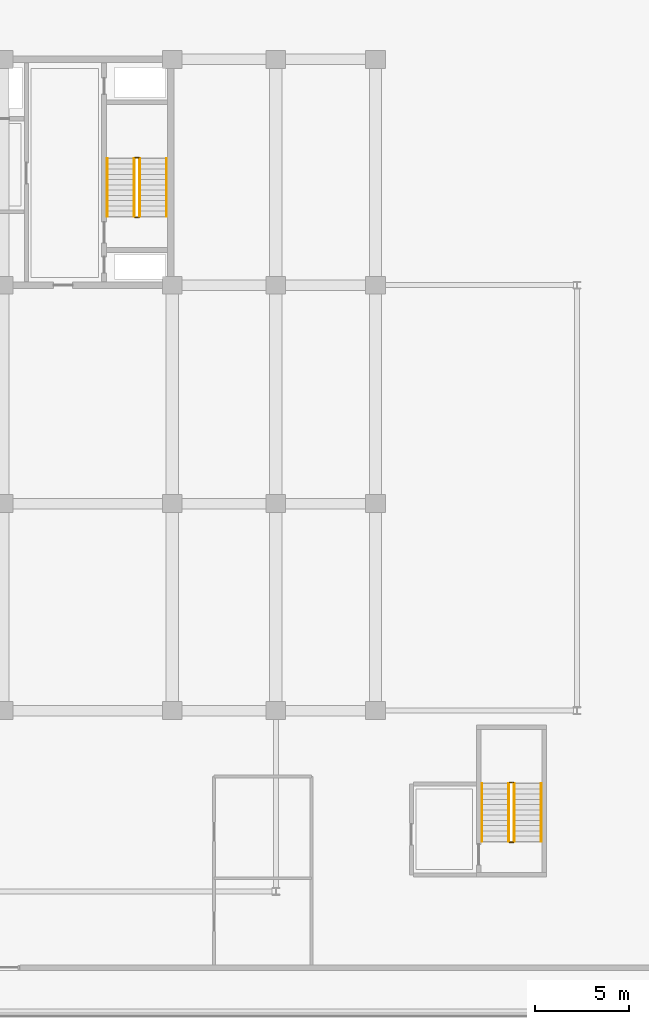
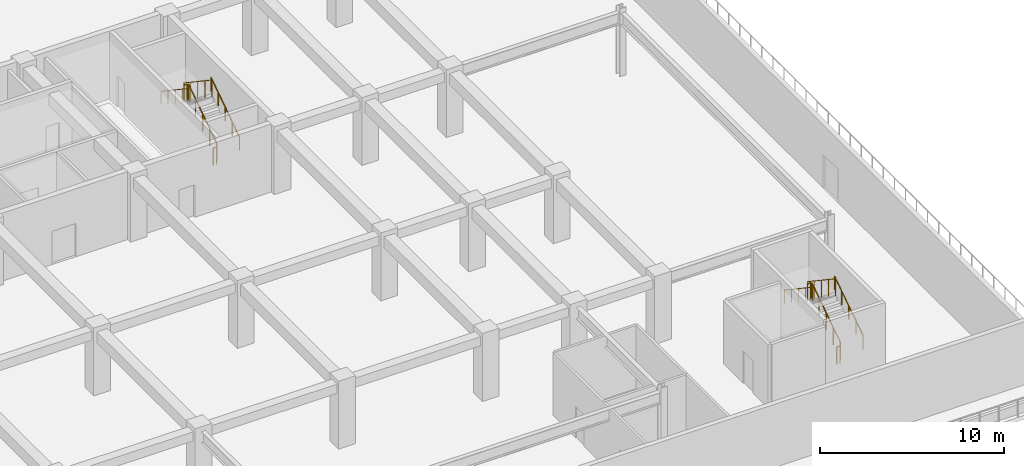
# One storey, part 34 of 40: 12 railings.
"""IFC4 building model written with IfcOpenShell, lengths in metres."""

from ifc_helpers import new_model, si_unit, direction, frame, origin, origin_2d, place, context, subcontext, project, spatial, circle, extrude, material, type_object, element, save


model = new_model("IFC4")

# Units and contexts
model_context = context("Model", 3, precision=1e-05, world=origin(), true_north=direction((0.0, 1.0)))
body_context = subcontext(model_context, "Body", "Model", "MODEL_VIEW")
ifc_project = project(units=[si_unit("LENGTHUNIT", "METRE"), si_unit("AREAUNIT", "SQUARE_METRE"), si_unit("VOLUMEUNIT", "CUBIC_METRE"), si_unit("PLANEANGLEUNIT", "RADIAN"), si_unit("MASSUNIT", "GRAM", prefix="KILO")], contexts=[model_context])

# Site, building, storey
site_placement = place(None, origin())
site = spatial("IfcSite", under=ifc_project, at=site_placement, CompositionType="ELEMENT")
building_placement = place(site_placement, origin())
building = spatial("IfcBuilding", under=site, at=building_placement, Name="Korimba Cascade Residences", CompositionType="ELEMENT")
storey_placement = place(building_placement, frame((0.0, 0.0, 14.5)))
storey = spatial("IfcBuildingStorey", under=building, at=storey_placement, Name="L03", CompositionType="ELEMENT", Elevation=14.5)

# Railings
ifc_material_1 = material(Name="Painted Steel Stairwell Guardrail", Category="steel")
railing_type_1 = type_object("IfcRailingType", Name="RLG-ST-GD1150", PredefinedType="GUARDRAIL", material=ifc_material_1)
railing_1_placement = place(storey_placement, frame((116.3701171875, 22.050048828125, 0.1875)))
element("IfcRailing", 1, at=railing_1_placement, inside=storey, type_object=railing_type_1, Name="L03 ST-E2 stair guard 1", PredefinedType="GUARDRAIL", context=body_context, shape_type="SweptSolid", body=[
    extrude(circle(Radius=0.02392578125, at=origin_2d()), frame((0.0, 0.0, 1.1259765625), z_axis=(0.0, 0.830893310487, 0.556431762742), x_axis=(-1.0, 0.0, 0.0)), (0.0, 0.0, 1.0), 3.70654296875),
    extrude(circle(Radius=0.02099609375, at=origin_2d()), origin(), (0.0, 0.0, 1.0), 1.101806640625),
    extrude(circle(Radius=0.02099609375, at=origin_2d()), frame((0.0, 0.77001953125, 0.515625)), (0.0, 0.0, 1.0), 1.101806640625),
    extrude(circle(Radius=0.02099609375, at=origin_2d()), frame((0.0, 1.5400390625, 1.03125)), (0.0, 0.0, 1.0), 1.101806640625),
    extrude(circle(Radius=0.02099609375, at=origin_2d()), frame((0.0, 2.309814453125, 1.546875)), (0.0, 0.0, 1.0), 1.101806640625),
    extrude(circle(Radius=0.02099609375, at=origin_2d()), frame((0.0, 3.079833984375, 2.0625)), (0.0, 0.0, 1.0), 1.101806640625),
])
railing_2_placement = place(storey_placement, frame((116.320068359375, 25.179931640625, 2.25)))
element("IfcRailing", 2, at=railing_2_placement, inside=storey, type_object=railing_type_1, Name="L03 ST-E2 stair guard 2", PredefinedType="GUARDRAIL", context=body_context, shape_type="SweptSolid", body=[
    extrude(circle(Radius=0.02392578125, at=origin_2d()), frame((0.0, 0.0, 1.1259765625), z_axis=(-1.0, 0.0, 0.0), x_axis=(0.0, -1.0, 0.0)), (0.0, 0.0, 1.0), 0.199951171875),
    extrude(circle(Radius=0.02099609375, at=origin_2d()), origin(), (0.0, 0.0, 1.0), 1.101806640625),
    extrude(circle(Radius=0.02099609375, at=origin_2d()), frame((-0.199951171875, 0.0, 0.0)), (0.0, 0.0, 1.0), 1.101806640625),
])
railing_3_placement = place(storey_placement, frame((116.070068359375, 25.1298828125, 2.4375)))
element("IfcRailing", 3, at=railing_3_placement, inside=storey, type_object=railing_type_1, Name="L03 ST-E2 stair guard 3", PredefinedType="GUARDRAIL", context=body_context, shape_type="SweptSolid", body=[
    extrude(circle(Radius=0.02392578125, at=origin_2d()), frame((0.0, 0.0, 1.1259765625), z_axis=(0.0, -0.830893310487, 0.556431762742), x_axis=(1.0, 0.0, 0.0)), (0.0, 0.0, 1.0), 3.70654296875),
    extrude(circle(Radius=0.02099609375, at=origin_2d()), origin(), (0.0, 0.0, 1.0), 1.101806640625),
    extrude(circle(Radius=0.02099609375, at=origin_2d()), frame((0.0, -0.77001953125, 0.515625)), (0.0, 0.0, 1.0), 1.101806640625),
    extrude(circle(Radius=0.02099609375, at=origin_2d()), frame((0.0, -1.5400390625, 1.03125)), (0.0, 0.0, 1.0), 1.101806640625),
    extrude(circle(Radius=0.02099609375, at=origin_2d()), frame((0.0, -2.309814453125, 1.546875)), (0.0, 0.0, 1.0), 1.101806640625),
    extrude(circle(Radius=0.02099609375, at=origin_2d()), frame((0.0, -3.079833984375, 2.0625)), (0.0, 0.0, 1.0), 1.101806640625),
])
railing_4_placement = place(storey_placement, frame((116.320068359375, 22.0, 0.0)))
element("IfcRailing", 4, at=railing_4_placement, inside=storey, type_object=railing_type_1, Name="L03 ST-E2 stair guard 4", PredefinedType="GUARDRAIL", context=body_context, shape_type="SweptSolid", body=[
    extrude(circle(Radius=0.02392578125, at=origin_2d()), frame((0.0, 0.0, 1.1259765625), z_axis=(-1.0, 0.0, 0.0), x_axis=(0.0, -1.0, 0.0)), (0.0, 0.0, 1.0), 0.199951171875),
    extrude(circle(Radius=0.02099609375, at=origin_2d()), origin(), (0.0, 0.0, 1.0), 1.101806640625),
    extrude(circle(Radius=0.02099609375, at=origin_2d()), frame((-0.199951171875, 0.0, 0.0)), (0.0, 0.0, 1.0), 1.101806640625),
])
railing_5_placement = place(storey_placement, frame((136.27001953125, -11.14990234375, 0.1875)))
element("IfcRailing", 5, at=railing_5_placement, inside=storey, type_object=railing_type_1, Name="L03 ST-P6 stair guard 1", PredefinedType="GUARDRAIL", context=body_context, shape_type="SweptSolid", body=[
    extrude(circle(Radius=0.02392578125, at=origin_2d()), frame((0.0, 0.0, 1.1259765625), z_axis=(0.0, 0.830893310487, 0.556431762742), x_axis=(-1.0, 0.0, 0.0)), (0.0, 0.0, 1.0), 3.70654296875),
    extrude(circle(Radius=0.02099609375, at=origin_2d()), origin(), (0.0, 0.0, 1.0), 1.101806640625),
    extrude(circle(Radius=0.02099609375, at=origin_2d()), frame((0.0, 0.77001953125, 0.515625)), (0.0, 0.0, 1.0), 1.101806640625),
    extrude(circle(Radius=0.02099609375, at=origin_2d()), frame((0.0, 1.5400390625, 1.03125)), (0.0, 0.0, 1.0), 1.101806640625),
    extrude(circle(Radius=0.02099609375, at=origin_2d()), frame((0.0, 2.309814453125, 1.546875)), (0.0, 0.0, 1.0), 1.101806640625),
    extrude(circle(Radius=0.02099609375, at=origin_2d()), frame((0.0, 3.079833984375, 2.0625)), (0.0, 0.0, 1.0), 1.101806640625),
])
railing_6_placement = place(storey_placement, frame((136.219970703125, -8.02001953125, 2.25)))
element("IfcRailing", 6, at=railing_6_placement, inside=storey, type_object=railing_type_1, Name="L03 ST-P6 stair guard 2", PredefinedType="GUARDRAIL", context=body_context, shape_type="SweptSolid", body=[
    extrude(circle(Radius=0.02392578125, at=origin_2d()), frame((0.0, 0.0, 1.1259765625), z_axis=(-1.0, 0.0, 0.0), x_axis=(0.0, -1.0, 0.0)), (0.0, 0.0, 1.0), 0.199951171875),
    extrude(circle(Radius=0.02099609375, at=origin_2d()), origin(), (0.0, 0.0, 1.0), 1.101806640625),
    extrude(circle(Radius=0.02099609375, at=origin_2d()), frame((-0.199951171875, 0.0, 0.0)), (0.0, 0.0, 1.0), 1.101806640625),
])
railing_7_placement = place(storey_placement, frame((135.969970703125, -8.070068359375, 2.4375)))
element("IfcRailing", 7, at=railing_7_placement, inside=storey, type_object=railing_type_1, Name="L03 ST-P6 stair guard 3", PredefinedType="GUARDRAIL", context=body_context, shape_type="SweptSolid", body=[
    extrude(circle(Radius=0.02392578125, at=origin_2d()), frame((0.0, 0.0, 1.1259765625), z_axis=(0.0, -0.830893310487, 0.556431762742), x_axis=(1.0, 0.0, 0.0)), (0.0, 0.0, 1.0), 3.70654296875),
    extrude(circle(Radius=0.02099609375, at=origin_2d()), origin(), (0.0, 0.0, 1.0), 1.101806640625),
    extrude(circle(Radius=0.02099609375, at=origin_2d()), frame((0.0, -0.77001953125, 0.515625)), (0.0, 0.0, 1.0), 1.101806640625),
    extrude(circle(Radius=0.02099609375, at=origin_2d()), frame((0.0, -1.5400390625, 1.03125)), (0.0, 0.0, 1.0), 1.101806640625),
    extrude(circle(Radius=0.02099609375, at=origin_2d()), frame((0.0, -2.309814453125, 1.546875)), (0.0, 0.0, 1.0), 1.101806640625),
    extrude(circle(Radius=0.02099609375, at=origin_2d()), frame((0.0, -3.079833984375, 2.0625)), (0.0, 0.0, 1.0), 1.101806640625),
])
railing_8_placement = place(storey_placement, frame((136.219970703125, -11.199951171875, 0.0)))
element("IfcRailing", 8, at=railing_8_placement, inside=storey, type_object=railing_type_1, Name="L03 ST-P6 stair guard 4", PredefinedType="GUARDRAIL", context=body_context, shape_type="SweptSolid", body=[
    extrude(circle(Radius=0.02392578125, at=origin_2d()), frame((0.0, 0.0, 1.1259765625), z_axis=(-1.0, 0.0, 0.0), x_axis=(0.0, -1.0, 0.0)), (0.0, 0.0, 1.0), 0.199951171875),
    extrude(circle(Radius=0.02099609375, at=origin_2d()), origin(), (0.0, 0.0, 1.0), 1.101806640625),
    extrude(circle(Radius=0.02099609375, at=origin_2d()), frame((-0.199951171875, 0.0, 0.0)), (0.0, 0.0, 1.0), 1.101806640625),
])
ifc_material_2 = material(Name="Brushed Stainless Steel Handrail", Category="steel")
railing_type_2 = type_object("IfcRailingType", Name="RLG-ST-HR900", PredefinedType="HANDRAIL", material=ifc_material_2)
railing_9_placement = place(storey_placement, frame((117.7900390625, 22.050048828125, 0.379150390625)))
element("IfcRailing", 9, at=railing_9_placement, inside=storey, type_object=railing_type_2, Name="L03 ST-E2 stair handrail 1", PredefinedType="HANDRAIL", context=body_context, shape_type="SweptSolid", body=[
    extrude(circle(Radius=0.02392578125, at=origin_2d()), frame((0.0, 0.0, 0.8759765625), z_axis=(0.0, 0.830893310487, 0.556431762742), x_axis=(-1.0, 0.0, 0.0)), (0.0, 0.0, 1.0), 3.70654296875),
    extrude(circle(Radius=0.02099609375, at=origin_2d()), origin(), (0.0, 0.0, 1.0), 0.851806640625),
    extrude(circle(Radius=0.02099609375, at=origin_2d()), frame((0.0, 0.77001953125, 0.515625)), (0.0, 0.0, 1.0), 0.851806640625),
    extrude(circle(Radius=0.02099609375, at=origin_2d()), frame((0.0, 1.5400390625, 1.03125)), (0.0, 0.0, 1.0), 0.851806640625),
    extrude(circle(Radius=0.02099609375, at=origin_2d()), frame((0.0, 2.309814453125, 1.546875)), (0.0, 0.0, 1.0), 0.851806640625),
    extrude(circle(Radius=0.02099609375, at=origin_2d()), frame((0.0, 3.079833984375, 2.0625)), (0.0, 0.0, 1.0), 0.851806640625),
])
railing_10_placement = place(storey_placement, frame((114.64990234375, 25.1298828125, 2.629150390625)))
element("IfcRailing", 10, at=railing_10_placement, inside=storey, type_object=railing_type_2, Name="L03 ST-E2 stair handrail 2", PredefinedType="HANDRAIL", context=body_context, shape_type="SweptSolid", body=[
    extrude(circle(Radius=0.02392578125, at=origin_2d()), frame((0.0, 0.0, 0.8759765625), z_axis=(0.0, -0.830893310487, 0.556431762742), x_axis=(1.0, 0.0, 0.0)), (0.0, 0.0, 1.0), 3.70654296875),
    extrude(circle(Radius=0.02099609375, at=origin_2d()), origin(), (0.0, 0.0, 1.0), 0.851806640625),
    extrude(circle(Radius=0.02099609375, at=origin_2d()), frame((0.0, -0.77001953125, 0.515625)), (0.0, 0.0, 1.0), 0.851806640625),
    extrude(circle(Radius=0.02099609375, at=origin_2d()), frame((0.0, -1.5400390625, 1.03125)), (0.0, 0.0, 1.0), 0.851806640625),
    extrude(circle(Radius=0.02099609375, at=origin_2d()), frame((0.0, -2.309814453125, 1.546875)), (0.0, 0.0, 1.0), 0.851806640625),
    extrude(circle(Radius=0.02099609375, at=origin_2d()), frame((0.0, -3.079833984375, 2.0625)), (0.0, 0.0, 1.0), 0.851806640625),
])
railing_11_placement = place(storey_placement, frame((137.68994140625, -11.14990234375, 0.379150390625)))
element("IfcRailing", 11, at=railing_11_placement, inside=storey, type_object=railing_type_2, Name="L03 ST-P6 stair handrail 1", PredefinedType="HANDRAIL", context=body_context, shape_type="SweptSolid", body=[
    extrude(circle(Radius=0.02392578125, at=origin_2d()), frame((0.0, 0.0, 0.8759765625), z_axis=(0.0, 0.830893310487, 0.556431762742), x_axis=(-1.0, 0.0, 0.0)), (0.0, 0.0, 1.0), 3.70654296875),
    extrude(circle(Radius=0.02099609375, at=origin_2d()), origin(), (0.0, 0.0, 1.0), 0.851806640625),
    extrude(circle(Radius=0.02099609375, at=origin_2d()), frame((0.0, 0.77001953125, 0.515625)), (0.0, 0.0, 1.0), 0.851806640625),
    extrude(circle(Radius=0.02099609375, at=origin_2d()), frame((0.0, 1.5400390625, 1.03125)), (0.0, 0.0, 1.0), 0.851806640625),
    extrude(circle(Radius=0.02099609375, at=origin_2d()), frame((0.0, 2.309814453125, 1.546875)), (0.0, 0.0, 1.0), 0.851806640625),
    extrude(circle(Radius=0.02099609375, at=origin_2d()), frame((0.0, 3.079833984375, 2.0625)), (0.0, 0.0, 1.0), 0.851806640625),
])
railing_12_placement = place(storey_placement, frame((134.550048828125, -8.070068359375, 2.629150390625)))
element("IfcRailing", 12, at=railing_12_placement, inside=storey, type_object=railing_type_2, Name="L03 ST-P6 stair handrail 2", PredefinedType="HANDRAIL", context=body_context, shape_type="SweptSolid", body=[
    extrude(circle(Radius=0.02392578125, at=origin_2d()), frame((0.0, 0.0, 0.8759765625), z_axis=(0.0, -0.830893310487, 0.556431762742), x_axis=(1.0, 0.0, 0.0)), (0.0, 0.0, 1.0), 3.70654296875),
    extrude(circle(Radius=0.02099609375, at=origin_2d()), origin(), (0.0, 0.0, 1.0), 0.851806640625),
    extrude(circle(Radius=0.02099609375, at=origin_2d()), frame((0.0, -0.77001953125, 0.515625)), (0.0, 0.0, 1.0), 0.851806640625),
    extrude(circle(Radius=0.02099609375, at=origin_2d()), frame((0.0, -1.5400390625, 1.03125)), (0.0, 0.0, 1.0), 0.851806640625),
    extrude(circle(Radius=0.02099609375, at=origin_2d()), frame((0.0, -2.309814453125, 1.546875)), (0.0, 0.0, 1.0), 0.851806640625),
    extrude(circle(Radius=0.02099609375, at=origin_2d()), frame((0.0, -3.079833984375, 2.0625)), (0.0, 0.0, 1.0), 0.851806640625),
])

save(model, "model.ifc")
